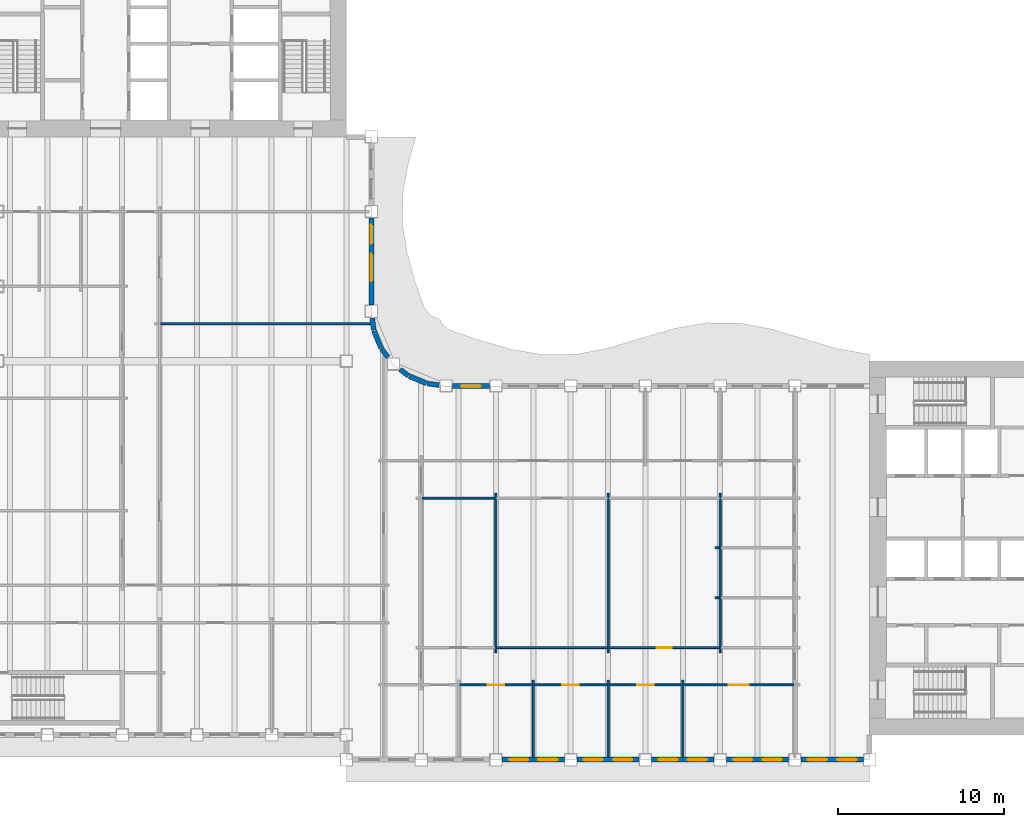
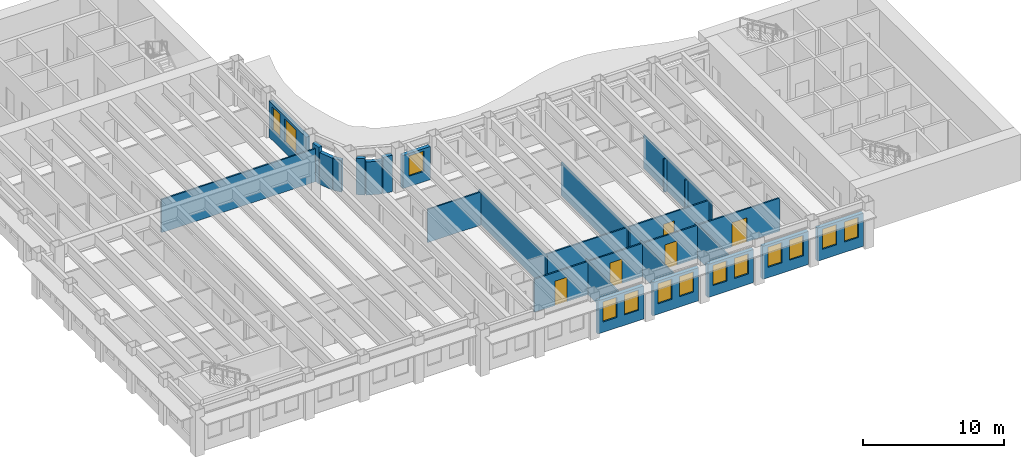
# One storey, part 5 of 17: 29 walls, 13 windows, 5 doors, 18 openings.
"""IFC4 building model written with IfcOpenShell, lengths in metres."""

from ifc_helpers import new_model, si_unit, direction, frame, frame_2d, origin, place, context, subcontext, project, spatial, rectangle, extrude, material, layer, layer_set, type_object, element, fill, save


model = new_model("IFC4")

# Units and contexts
model_context = context("Model", 3, precision=1e-05, world=origin(), true_north=direction((0.0, 1.0)))
body_context = subcontext(model_context, "Body", "Model", "MODEL_VIEW")
ifc_project = project(units=[si_unit("LENGTHUNIT", "METRE"), si_unit("AREAUNIT", "SQUARE_METRE"), si_unit("VOLUMEUNIT", "CUBIC_METRE"), si_unit("PLANEANGLEUNIT", "RADIAN"), si_unit("MASSUNIT", "GRAM", prefix="KILO")], contexts=[model_context])

# Site, building, storey
site_placement = place(None, origin())
site = spatial("IfcSite", under=ifc_project, at=site_placement, CompositionType="ELEMENT")
building_placement = place(site_placement, origin())
building = spatial("IfcBuilding", under=site, at=building_placement, Name="Sennacour Bend Tower", CompositionType="ELEMENT")
storey_placement = place(building_placement, frame((0.0, 0.0, 215.0)))
storey = spatial("IfcBuildingStorey", under=building, at=storey_placement, Name="L49", CompositionType="ELEMENT", Elevation=215.0)

# Walls
ifc_material_1 = material(Name="Plasterboard partition on steel studs", Category="steel")
ifc_layer_1 = layer(ifc_material_1, 0.1201171875, Name="Plasterboard partition on steel studs", Category="steel")
ifc_layer_set_1 = layer_set([ifc_layer_1], Name="Plasterboard partition on steel studs")
wall_type_1 = type_object("IfcWallType", Name="Partition 120", PredefinedType="PARTITIONING", material=ifc_layer_set_1)
wall_1_placement = place(storey_placement, frame((31.5, 4.949951171875, 0.0), z_axis=(0.0, 0.0, 1.0), x_axis=(0.0, 1.0, 0.0)))
element("IfcWall", 1, at=wall_1_placement, inside=storey, type_object=wall_type_1, Name="P-L49-W025a", PredefinedType="PARTITIONING", context=body_context, shape_type="SweptSolid", body=[
    extrude(rectangle(XDim=9.60009765625, YDim=0.1201171875, at=frame_2d((4.800048828125, 0.0))), origin(), (0.0, 0.0, 1.0), 2.8701171875),
])
for number, where, z_axis, x_axis, name in (
    (2, (33.75, -1.35009765625, 0.0), (0.0, 0.0, 1.0), (0.0, 1.0, 0.0), "P-L49-W026a"),
    (3, (38.25, -1.35009765625, 0.0), (0.0, 0.0, 1.0), (0.0, 1.0, 0.0), "P-L49-W027a"),
):
    element("IfcWall", number, at=place(storey_placement, frame(where, z_axis=z_axis, x_axis=x_axis)), inside=storey, type_object=wall_type_1, Name=name, PredefinedType="PARTITIONING", context=body_context, shape_type="SweptSolid", body=[
        extrude(rectangle(XDim=4.650146484375, YDim=0.1201171875, at=frame_2d((2.3251953125, 0.0))), origin(), (0.0, 0.0, 1.0), 2.8701171875),
    ])
wall_2_placement = place(storey_placement, frame((38.25, 4.949951171875, 0.0), z_axis=(0.0, 0.0, 1.0), x_axis=(0.0, 1.0, 0.0)))
element("IfcWall", 4, at=wall_2_placement, inside=storey, type_object=wall_type_1, Name="P-L49-W028a", PredefinedType="PARTITIONING", context=body_context, shape_type="SweptSolid", body=[
    extrude(rectangle(XDim=9.60009765625, YDim=0.1201171875, at=frame_2d((4.800048828125, 0.0))), origin(), (0.0, 0.0, 1.0), 2.8701171875),
])
wall_3_placement = place(storey_placement, frame((42.75, -1.35009765625, 0.0), z_axis=(0.0, 0.0, 1.0), x_axis=(0.0, 1.0, 0.0)))
element("IfcWall", 5, at=wall_3_placement, inside=storey, type_object=wall_type_1, Name="P-L49-W030a", PredefinedType="PARTITIONING", context=body_context, shape_type="SweptSolid", body=[
    extrude(rectangle(XDim=4.650146484375, YDim=0.1201171875, at=frame_2d((2.3251953125, 0.0))), origin(), (0.0, 0.0, 1.0), 2.8701171875),
])
wall_4_placement = place(storey_placement, frame((45.0, 4.949951171875, 0.0), z_axis=(0.0, 0.0, 1.0), x_axis=(0.0, 1.0, 0.0)))
element("IfcWall", 6, at=wall_4_placement, inside=storey, type_object=wall_type_1, Name="P-L49-W031a", PredefinedType="PARTITIONING", context=body_context, shape_type="SweptSolid", body=[
    extrude(rectangle(XDim=9.60009765625, YDim=0.1201171875, at=frame_2d((4.800048828125, 0.0))), origin(), (0.0, 0.0, 1.0), 2.8701171875),
])

# Wall, opening, door
wall_5_placement = place(storey_placement, frame((29.31005859375, 3.0, 0.0), z_axis=(0.0, 0.0, 1.0), x_axis=(1.0, 0.0, 0.0)))
wall_5 = element("IfcWall", 7, at=wall_5_placement, inside=storey, type_object=wall_type_1, Name="P-L49-W050ad", PredefinedType="PARTITIONING", context=body_context, shape_type="SweptSolid", body=[
    extrude(rectangle(XDim=4.3798828125, YDim=0.1201171875, at=frame_2d((2.18994140625, 0.0))), origin(), (0.0, 0.0, 1.0), 2.8701171875),
])
opening_1_placement = place(wall_5_placement, frame((1.68994140625, 0.0, 0.0)))
opening_1 = element("IfcOpeningElement", 8, at=opening_1_placement, cuts=wall_5, Name="Opening OD2", PredefinedType="OPENING", context=body_context, shape_type="SweptSolid", body=[
    extrude(rectangle(XDim=1.0, YDim=2.10009765625, at=frame_2d((0.5, 1.050048828125))), frame((0.0, 0.070068359375, 0.0), z_axis=(0.0, -1.0, 0.0), x_axis=(1.0, 0.0, 0.0)), (0.0, 0.0, 1.0), 0.14013671875),
])
ifc_material_2 = material(Name="Timber", Category="wood")
door_type_1 = type_object("IfcDoorType", Name="DR-OFFICE-1000", OperationType="NOTDEFINED", PredefinedType="DOOR", material=ifc_material_2)
door_1_placement = place(opening_1_placement, origin())
door_1 = element("IfcDoor", 9, at=door_1_placement, inside=storey, type_object=door_type_1, Name="Door", OperationType="SINGLE_SWING_LEFT", OverallHeight=2.10009765625, OverallWidth=1.0, PredefinedType="DOOR", context=body_context, shape_type="SweptSolid", body=[
    extrude(rectangle(XDim=1.0, YDim=2.10009765625, at=frame_2d((0.5, 1.050048828125))), frame((0.0, 0.02490234375, 0.0), z_axis=(0.0, -1.0, 0.0), x_axis=(1.0, 0.0, 0.0)), (0.0, 0.0, 1.0), 0.050048828125),
])
fill(opening_1, door_1)

wall_6_placement = place(storey_placement, frame((33.81005859375, 3.0, 0.0), z_axis=(0.0, 0.0, 1.0), x_axis=(1.0, 0.0, 0.0)))
wall_6 = element("IfcWall", 10, at=wall_6_placement, inside=storey, type_object=wall_type_1, Name="P-L49-W050ae", PredefinedType="PARTITIONING", context=body_context, shape_type="SweptSolid", body=[
    extrude(rectangle(XDim=4.3798828125, YDim=0.1201171875, at=frame_2d((2.18994140625, 0.0))), origin(), (0.0, 0.0, 1.0), 2.8701171875),
])
opening_2_placement = place(wall_6_placement, frame((1.68994140625, 0.0, 0.0)))
opening_2 = element("IfcOpeningElement", 11, at=opening_2_placement, cuts=wall_6, Name="Opening OD2", PredefinedType="OPENING", context=body_context, shape_type="SweptSolid", body=[
    extrude(rectangle(XDim=1.0, YDim=2.10009765625, at=frame_2d((0.5, 1.050048828125))), frame((0.0, 0.070068359375, 0.0), z_axis=(0.0, -1.0, 0.0), x_axis=(1.0, 0.0, 0.0)), (0.0, 0.0, 1.0), 0.14013671875),
])
door_2_placement = place(opening_2_placement, origin())
door_2 = element("IfcDoor", 12, at=door_2_placement, inside=storey, type_object=door_type_1, Name="Door", OperationType="SINGLE_SWING_LEFT", OverallHeight=2.10009765625, OverallWidth=1.0, PredefinedType="DOOR", context=body_context, shape_type="SweptSolid", body=[
    extrude(rectangle(XDim=1.0, YDim=2.10009765625, at=frame_2d((0.5, 1.050048828125))), frame((0.0, 0.02490234375, 0.0), z_axis=(0.0, -1.0, 0.0), x_axis=(1.0, 0.0, 0.0)), (0.0, 0.0, 1.0), 0.050048828125),
])
fill(opening_2, door_2)

wall_7_placement = place(storey_placement, frame((38.31005859375, 3.0, 0.0), z_axis=(0.0, 0.0, 1.0), x_axis=(1.0, 0.0, 0.0)))
wall_7 = element("IfcWall", 13, at=wall_7_placement, inside=storey, type_object=wall_type_1, Name="P-L49-W050af", PredefinedType="PARTITIONING", context=body_context, shape_type="SweptSolid", body=[
    extrude(rectangle(XDim=4.3798828125, YDim=0.1201171875, at=frame_2d((2.18994140625, 0.0))), origin(), (0.0, 0.0, 1.0), 2.8701171875),
])
opening_3_placement = place(wall_7_placement, frame((1.68994140625, 0.0, 0.0)))
opening_3 = element("IfcOpeningElement", 14, at=opening_3_placement, cuts=wall_7, Name="Opening OD2", PredefinedType="OPENING", context=body_context, shape_type="SweptSolid", body=[
    extrude(rectangle(XDim=1.0, YDim=2.10009765625, at=frame_2d((0.5, 1.050048828125))), frame((0.0, 0.070068359375, 0.0), z_axis=(0.0, -1.0, 0.0), x_axis=(1.0, 0.0, 0.0)), (0.0, 0.0, 1.0), 0.14013671875),
])
door_3_placement = place(opening_3_placement, origin())
door_3 = element("IfcDoor", 15, at=door_3_placement, inside=storey, type_object=door_type_1, Name="Door", OperationType="SINGLE_SWING_LEFT", OverallHeight=2.10009765625, OverallWidth=1.0, PredefinedType="DOOR", context=body_context, shape_type="SweptSolid", body=[
    extrude(rectangle(XDim=1.0, YDim=2.10009765625, at=frame_2d((0.5, 1.050048828125))), frame((0.0, 0.02490234375, 0.0), z_axis=(0.0, -1.0, 0.0), x_axis=(1.0, 0.0, 0.0)), (0.0, 0.0, 1.0), 0.050048828125),
])
fill(opening_3, door_3)

wall_8_placement = place(storey_placement, frame((42.81005859375, 3.0, 0.0), z_axis=(0.0, 0.0, 1.0), x_axis=(1.0, 0.0, 0.0)))
wall_8 = element("IfcWall", 16, at=wall_8_placement, inside=storey, type_object=wall_type_1, Name="P-L49-W050ag", PredefinedType="PARTITIONING", context=body_context, shape_type="SweptSolid", body=[
    extrude(rectangle(XDim=6.6298828125, YDim=0.1201171875, at=frame_2d((3.31494140625, 0.0))), origin(), (0.0, 0.0, 1.0), 2.8701171875),
])
opening_4_placement = place(wall_8_placement, frame((2.71484375, 0.0, 0.0)))
opening_4 = element("IfcOpeningElement", 17, at=opening_4_placement, cuts=wall_8, Name="Opening OD", PredefinedType="OPENING", context=body_context, shape_type="SweptSolid", body=[
    extrude(rectangle(XDim=1.199951171875, YDim=2.10009765625, at=frame_2d((0.60009765625, 1.050048828125))), frame((0.0, 0.070068359375, 0.0), z_axis=(0.0, -1.0, 0.0), x_axis=(1.0, 0.0, 0.0)), (0.0, 0.0, 1.0), 0.14013671875),
])
door_type_2 = type_object("IfcDoorType", Name="DR-OFFICE-1200", OperationType="NOTDEFINED", PredefinedType="DOOR", material=ifc_material_2)
door_4_placement = place(opening_4_placement, origin())
door_4 = element("IfcDoor", 18, at=door_4_placement, inside=storey, type_object=door_type_2, Name="Door", OperationType="SINGLE_SWING_LEFT", OverallHeight=2.10009765625, OverallWidth=1.199951171875, PredefinedType="DOOR", context=body_context, shape_type="SweptSolid", body=[
    extrude(rectangle(XDim=1.199951171875, YDim=2.10009765625, at=frame_2d((0.60009765625, 1.050048828125))), frame((0.0, 0.02490234375, 0.0), z_axis=(0.0, -1.0, 0.0), x_axis=(1.0, 0.0, 0.0)), (0.0, 0.0, 1.0), 0.050048828125),
])
fill(opening_4, door_4)

# Walls
wall_9_placement = place(storey_placement, frame((31.56005859375, 5.25, 0.0), z_axis=(0.0, 0.0, 1.0), x_axis=(1.0, 0.0, 0.0)))
element("IfcWall", 19, at=wall_9_placement, inside=storey, type_object=wall_type_1, Name="P-L49-W056ac", PredefinedType="PARTITIONING", context=body_context, shape_type="SweptSolid", body=[
    extrude(rectangle(XDim=6.6298828125, YDim=0.1201171875, at=frame_2d((3.31494140625, 0.0))), origin(), (0.0, 0.0, 1.0), 2.8701171875),
])
for number, where, z_axis, x_axis, name in (
    (20, (44.699951171875, 8.25, 0.0), (0.0, 0.0, 1.0), (1.0, 0.0, 0.0), "P-L49-W059aa"),
    (21, (44.699951171875, 11.25, 0.0), (0.0, 0.0, 1.0), (1.0, 0.0, 0.0), "P-L49-W062aa"),
):
    element("IfcWall", number, at=place(storey_placement, frame(where, z_axis=z_axis, x_axis=x_axis)), inside=storey, type_object=wall_type_1, Name=name, PredefinedType="PARTITIONING", context=body_context, shape_type="SweptSolid", body=[
        extrude(rectangle(XDim=0.239990234375, YDim=0.1201171875, at=frame_2d((0.1201171875, 0.0))), origin(), (0.0, 0.0, 1.0), 2.8701171875),
    ])
wall_10_placement = place(storey_placement, frame((27.06005859375, 14.25, 0.0), z_axis=(0.0, 0.0, 1.0), x_axis=(1.0, 0.0, 0.0)))
element("IfcWall", 22, at=wall_10_placement, inside=storey, type_object=wall_type_1, Name="P-L49-W065ab", PredefinedType="PARTITIONING", context=body_context, shape_type="SweptSolid", body=[
    extrude(rectangle(XDim=4.3798828125, YDim=0.1201171875, at=frame_2d((2.18994140625, 0.0))), origin(), (0.0, 0.0, 1.0), 2.8701171875),
])
wall_11_placement = place(storey_placement, frame((11.31005859375, 24.75, 0.0), z_axis=(0.0, 0.0, 1.0), x_axis=(1.0, 0.0, 0.0)))
element("IfcWall", 23, at=wall_11_placement, inside=storey, type_object=wall_type_1, Name="P-L49-W074ab", PredefinedType="PARTITIONING", context=body_context, shape_type="SweptSolid", body=[
    extrude(rectangle(XDim=12.637451171875, YDim=0.1201171875, at=frame_2d((6.31884765625, 0.0))), origin(), (0.0, 0.0, 1.0), 2.8701171875),
])

# Wall, opening, door
ifc_layer_2 = layer(ifc_material_1, 0.1201171875, Name="Plasterboard partition on steel studs", Category="steel")
ifc_layer_set_2 = layer_set([ifc_layer_2], Name="Plasterboard partition on steel studs")
wall_type_2 = type_object("IfcWallType", Name="Partition 120 EI 60", PredefinedType="PARTITIONING", material=ifc_layer_set_2)
wall_12_placement = place(storey_placement, frame((38.31005859375, 5.25, 0.0), z_axis=(0.0, 0.0, 1.0), x_axis=(1.0, 0.0, 0.0)))
wall_12 = element("IfcWall", 24, at=wall_12_placement, inside=storey, type_object=wall_type_2, Name="P-L49-W056ad", PredefinedType="PARTITIONING", context=body_context, shape_type="SweptSolid", body=[
    extrude(rectangle(XDim=6.6298828125, YDim=0.1201171875, at=frame_2d((3.31494140625, 0.0))), origin(), (0.0, 0.0, 1.0), 2.8701171875),
])
opening_5_placement = place(wall_12_placement, frame((2.864990234375, 0.0, 0.0)))
opening_5 = element("IfcOpeningElement", 25, at=opening_5_placement, cuts=wall_12, Name="Opening SV", PredefinedType="OPENING", context=body_context, shape_type="SweptSolid", body=[
    extrude(rectangle(XDim=0.89990234375, YDim=2.10009765625, at=frame_2d((0.449951171875, 1.050048828125))), frame((0.0, 0.070068359375, 0.0), z_axis=(0.0, -1.0, 0.0), x_axis=(1.0, 0.0, 0.0)), (0.0, 0.0, 1.0), 0.14013671875),
])
ifc_material_3 = material(Name="Painted steel", Category="steel")
door_type_3 = type_object("IfcDoorType", Name="DR-SERVICE-900", OperationType="NOTDEFINED", PredefinedType="DOOR", material=ifc_material_3)
door_5_placement = place(opening_5_placement, origin())
door_5 = element("IfcDoor", 26, at=door_5_placement, inside=storey, type_object=door_type_3, Name="Door", OperationType="SINGLE_SWING_LEFT", OverallHeight=2.10009765625, OverallWidth=0.89990234375, PredefinedType="DOOR", context=body_context, shape_type="SweptSolid", body=[
    extrude(rectangle(XDim=0.89990234375, YDim=2.10009765625, at=frame_2d((0.449951171875, 1.050048828125))), frame((0.0, 0.02490234375, 0.0), z_axis=(0.0, -1.0, 0.0), x_axis=(1.0, 0.0, 0.0)), (0.0, 0.0, 1.0), 0.050048828125),
])
fill(opening_5, door_5)

# Wall, openings, windows
ifc_material_4 = material(Name="Warm limestone cladding", Category="masonry")
ifc_layer_3 = layer(ifc_material_4, 0.050048828125, Name="Warm limestone cladding", Category="masonry")
ifc_material_5 = material(Name="Precast concrete C40/50", Category="concrete")
ifc_layer_4 = layer(ifc_material_5, 0.25, Name="Precast concrete C40/50", Category="concrete")
ifc_layer_set_3 = layer_set([ifc_layer_3, ifc_layer_4], Name="Precast concrete C40/50 with limestone cladding")
wall_type_3 = type_object("IfcWallType", Name="STONE-CLAD PRECAST SPANDREL 300", PredefinedType="STANDARD", material=ifc_layer_set_3)
wall_13_placement = place(storey_placement, frame((31.875, -1.5, 0.0), z_axis=(0.0, 0.0, 1.0), x_axis=(1.0, 0.0, 0.0)))
wall_13 = element("IfcWall", 27, at=wall_13_placement, inside=storey, type_object=wall_type_3, Name="Stone spandrel and pier wall L49 00.02", PredefinedType="STANDARD", context=body_context, shape_type="SweptSolid", body=[
    extrude(rectangle(XDim=3.75, YDim=0.300048828125, at=frame_2d((1.875, 0.0))), origin(), (0.0, 0.0, 1.0), 2.8701171875),
])
opening_6_placement = place(wall_13_placement, frame((0.41259765625, 0.0, 0.89990234375)))
opening_6 = element("IfcOpeningElement", 28, at=opening_6_placement, cuts=wall_13, Name="Opening W23", PredefinedType="OPENING", context=body_context, shape_type="SweptSolid", body=[
    extrude(rectangle(XDim=1.14990234375, YDim=1.75, at=frame_2d((0.574951171875, 0.875))), frame((0.0, 0.16015625, 0.0), z_axis=(0.0, -1.0, 0.0), x_axis=(1.0, 0.0, 0.0)), (0.0, 0.0, 1.0), 0.320068359375),
])
opening_7_placement = place(wall_13_placement, frame((2.1875, 0.0, 0.89990234375)))
opening_7 = element("IfcOpeningElement", 29, at=opening_7_placement, cuts=wall_13, Name="Opening W23", PredefinedType="OPENING", context=body_context, shape_type="SweptSolid", body=[
    extrude(rectangle(XDim=1.14990234375, YDim=1.75, at=frame_2d((0.574951171875, 0.875))), frame((0.0, 0.16015625, 0.0), z_axis=(0.0, -1.0, 0.0), x_axis=(1.0, 0.0, 0.0)), (0.0, 0.0, 1.0), 0.320068359375),
])
ifc_material_6 = material(Name="Clear low-emissivity glass", Category="glass")
window_type_1 = type_object("IfcWindowType", Name="WIN-RIBBON-1150x1750", PartitioningType="SINGLE_PANEL", PredefinedType="WINDOW", material=ifc_material_6)
window_1_placement = place(opening_6_placement, origin())
window_1 = element("IfcWindow", 30, at=window_1_placement, inside=storey, type_object=window_type_1, Name="Ribbon window L49 00.02.0", OverallHeight=1.75, OverallWidth=1.14990234375, PartitioningType="SINGLE_PANEL", PredefinedType="WINDOW", context=body_context, shape_type="SweptSolid", body=[
    extrude(rectangle(XDim=1.14990234375, YDim=1.75, at=frame_2d((0.574951171875, 0.875))), frame((0.0, 0.030029296875, 0.0), z_axis=(0.0, -1.0, 0.0), x_axis=(1.0, 0.0, 0.0)), (0.0, 0.0, 1.0), 0.06005859375),
])
fill(opening_6, window_1)
window_2_placement = place(opening_7_placement, origin())
window_2 = element("IfcWindow", 31, at=window_2_placement, inside=storey, type_object=window_type_1, Name="Ribbon window L49 00.02.1", OverallHeight=1.75, OverallWidth=1.14990234375, PartitioningType="SINGLE_PANEL", PredefinedType="WINDOW", context=body_context, shape_type="SweptSolid", body=[
    extrude(rectangle(XDim=1.14990234375, YDim=1.75, at=frame_2d((0.574951171875, 0.875))), frame((0.0, 0.030029296875, 0.0), z_axis=(0.0, -1.0, 0.0), x_axis=(1.0, 0.0, 0.0)), (0.0, 0.0, 1.0), 0.06005859375),
])
fill(opening_7, window_2)

wall_14_placement = place(storey_placement, frame((36.375, -1.5, 0.0), z_axis=(0.0, 0.0, 1.0), x_axis=(1.0, 0.0, 0.0)))
wall_14 = element("IfcWall", 32, at=wall_14_placement, inside=storey, type_object=wall_type_3, Name="Stone spandrel and pier wall L49 00.03", PredefinedType="STANDARD", context=body_context, shape_type="SweptSolid", body=[
    extrude(rectangle(XDim=3.75, YDim=0.300048828125, at=frame_2d((1.875, 0.0))), origin(), (0.0, 0.0, 1.0), 2.8701171875),
])
opening_8_placement = place(wall_14_placement, frame((0.41259765625, 0.0, 0.89990234375)))
opening_8 = element("IfcOpeningElement", 33, at=opening_8_placement, cuts=wall_14, Name="Opening W23", PredefinedType="OPENING", context=body_context, shape_type="SweptSolid", body=[
    extrude(rectangle(XDim=1.14990234375, YDim=1.75, at=frame_2d((0.574951171875, 0.875))), frame((0.0, 0.16015625, 0.0), z_axis=(0.0, -1.0, 0.0), x_axis=(1.0, 0.0, 0.0)), (0.0, 0.0, 1.0), 0.320068359375),
])
opening_9_placement = place(wall_14_placement, frame((2.1875, 0.0, 0.89990234375)))
opening_9 = element("IfcOpeningElement", 34, at=opening_9_placement, cuts=wall_14, Name="Opening W23", PredefinedType="OPENING", context=body_context, shape_type="SweptSolid", body=[
    extrude(rectangle(XDim=1.14990234375, YDim=1.75, at=frame_2d((0.574951171875, 0.875))), frame((0.0, 0.16015625, 0.0), z_axis=(0.0, -1.0, 0.0), x_axis=(1.0, 0.0, 0.0)), (0.0, 0.0, 1.0), 0.320068359375),
])
window_3_placement = place(opening_8_placement, origin())
window_3 = element("IfcWindow", 35, at=window_3_placement, inside=storey, type_object=window_type_1, Name="Ribbon window L49 00.03.0", OverallHeight=1.75, OverallWidth=1.14990234375, PartitioningType="SINGLE_PANEL", PredefinedType="WINDOW", context=body_context, shape_type="SweptSolid", body=[
    extrude(rectangle(XDim=1.14990234375, YDim=1.75, at=frame_2d((0.574951171875, 0.875))), frame((0.0, 0.030029296875, 0.0), z_axis=(0.0, -1.0, 0.0), x_axis=(1.0, 0.0, 0.0)), (0.0, 0.0, 1.0), 0.06005859375),
])
fill(opening_8, window_3)
window_4_placement = place(opening_9_placement, origin())
window_4 = element("IfcWindow", 36, at=window_4_placement, inside=storey, type_object=window_type_1, Name="Ribbon window L49 00.03.1", OverallHeight=1.75, OverallWidth=1.14990234375, PartitioningType="SINGLE_PANEL", PredefinedType="WINDOW", context=body_context, shape_type="SweptSolid", body=[
    extrude(rectangle(XDim=1.14990234375, YDim=1.75, at=frame_2d((0.574951171875, 0.875))), frame((0.0, 0.030029296875, 0.0), z_axis=(0.0, -1.0, 0.0), x_axis=(1.0, 0.0, 0.0)), (0.0, 0.0, 1.0), 0.06005859375),
])
fill(opening_9, window_4)

wall_15_placement = place(storey_placement, frame((40.875, -1.5, 0.0), z_axis=(0.0, 0.0, 1.0), x_axis=(1.0, 0.0, 0.0)))
wall_15 = element("IfcWall", 37, at=wall_15_placement, inside=storey, type_object=wall_type_3, Name="Stone spandrel and pier wall L49 00.04", PredefinedType="STANDARD", context=body_context, shape_type="SweptSolid", body=[
    extrude(rectangle(XDim=3.75, YDim=0.300048828125, at=frame_2d((1.875, 0.0))), origin(), (0.0, 0.0, 1.0), 2.8701171875),
])
opening_10_placement = place(wall_15_placement, frame((0.41259765625, 0.0, 0.89990234375)))
opening_10 = element("IfcOpeningElement", 38, at=opening_10_placement, cuts=wall_15, Name="Opening W23", PredefinedType="OPENING", context=body_context, shape_type="SweptSolid", body=[
    extrude(rectangle(XDim=1.14990234375, YDim=1.75, at=frame_2d((0.574951171875, 0.875))), frame((0.0, 0.16015625, 0.0), z_axis=(0.0, -1.0, 0.0), x_axis=(1.0, 0.0, 0.0)), (0.0, 0.0, 1.0), 0.320068359375),
])
opening_11_placement = place(wall_15_placement, frame((2.1875, 0.0, 0.89990234375)))
opening_11 = element("IfcOpeningElement", 39, at=opening_11_placement, cuts=wall_15, Name="Opening W23", PredefinedType="OPENING", context=body_context, shape_type="SweptSolid", body=[
    extrude(rectangle(XDim=1.14990234375, YDim=1.75, at=frame_2d((0.574951171875, 0.875))), frame((0.0, 0.16015625, 0.0), z_axis=(0.0, -1.0, 0.0), x_axis=(1.0, 0.0, 0.0)), (0.0, 0.0, 1.0), 0.320068359375),
])
window_5_placement = place(opening_10_placement, origin())
window_5 = element("IfcWindow", 40, at=window_5_placement, inside=storey, type_object=window_type_1, Name="Ribbon window L49 00.04.0", OverallHeight=1.75, OverallWidth=1.14990234375, PartitioningType="SINGLE_PANEL", PredefinedType="WINDOW", context=body_context, shape_type="SweptSolid", body=[
    extrude(rectangle(XDim=1.14990234375, YDim=1.75, at=frame_2d((0.574951171875, 0.875))), frame((0.0, 0.030029296875, 0.0), z_axis=(0.0, -1.0, 0.0), x_axis=(1.0, 0.0, 0.0)), (0.0, 0.0, 1.0), 0.06005859375),
])
fill(opening_10, window_5)
window_6_placement = place(opening_11_placement, origin())
window_6 = element("IfcWindow", 41, at=window_6_placement, inside=storey, type_object=window_type_1, Name="Ribbon window L49 00.04.1", OverallHeight=1.75, OverallWidth=1.14990234375, PartitioningType="SINGLE_PANEL", PredefinedType="WINDOW", context=body_context, shape_type="SweptSolid", body=[
    extrude(rectangle(XDim=1.14990234375, YDim=1.75, at=frame_2d((0.574951171875, 0.875))), frame((0.0, 0.030029296875, 0.0), z_axis=(0.0, -1.0, 0.0), x_axis=(1.0, 0.0, 0.0)), (0.0, 0.0, 1.0), 0.06005859375),
])
fill(opening_11, window_6)

wall_16_placement = place(storey_placement, frame((45.375, -1.5, 0.0), z_axis=(0.0, 0.0, 1.0), x_axis=(1.0, 0.0, 0.0)))
wall_16 = element("IfcWall", 42, at=wall_16_placement, inside=storey, type_object=wall_type_3, Name="Stone spandrel and pier wall L49 00.05", PredefinedType="STANDARD", context=body_context, shape_type="SweptSolid", body=[
    extrude(rectangle(XDim=3.75, YDim=0.300048828125, at=frame_2d((1.875, 0.0))), origin(), (0.0, 0.0, 1.0), 2.8701171875),
])
opening_12_placement = place(wall_16_placement, frame((0.41259765625, 0.0, 0.89990234375)))
opening_12 = element("IfcOpeningElement", 43, at=opening_12_placement, cuts=wall_16, Name="Opening W23", PredefinedType="OPENING", context=body_context, shape_type="SweptSolid", body=[
    extrude(rectangle(XDim=1.14990234375, YDim=1.75, at=frame_2d((0.574951171875, 0.875))), frame((0.0, 0.16015625, 0.0), z_axis=(0.0, -1.0, 0.0), x_axis=(1.0, 0.0, 0.0)), (0.0, 0.0, 1.0), 0.320068359375),
])
opening_13_placement = place(wall_16_placement, frame((2.1875, 0.0, 0.89990234375)))
opening_13 = element("IfcOpeningElement", 44, at=opening_13_placement, cuts=wall_16, Name="Opening W23", PredefinedType="OPENING", context=body_context, shape_type="SweptSolid", body=[
    extrude(rectangle(XDim=1.14990234375, YDim=1.75, at=frame_2d((0.574951171875, 0.875))), frame((0.0, 0.16015625, 0.0), z_axis=(0.0, -1.0, 0.0), x_axis=(1.0, 0.0, 0.0)), (0.0, 0.0, 1.0), 0.320068359375),
])
window_7_placement = place(opening_12_placement, origin())
window_7 = element("IfcWindow", 45, at=window_7_placement, inside=storey, type_object=window_type_1, Name="Ribbon window L49 00.05.0", OverallHeight=1.75, OverallWidth=1.14990234375, PartitioningType="SINGLE_PANEL", PredefinedType="WINDOW", context=body_context, shape_type="SweptSolid", body=[
    extrude(rectangle(XDim=1.14990234375, YDim=1.75, at=frame_2d((0.574951171875, 0.875))), frame((0.0, 0.030029296875, 0.0), z_axis=(0.0, -1.0, 0.0), x_axis=(1.0, 0.0, 0.0)), (0.0, 0.0, 1.0), 0.06005859375),
])
fill(opening_12, window_7)
window_8_placement = place(opening_13_placement, origin())
window_8 = element("IfcWindow", 46, at=window_8_placement, inside=storey, type_object=window_type_1, Name="Ribbon window L49 00.05.1", OverallHeight=1.75, OverallWidth=1.14990234375, PartitioningType="SINGLE_PANEL", PredefinedType="WINDOW", context=body_context, shape_type="SweptSolid", body=[
    extrude(rectangle(XDim=1.14990234375, YDim=1.75, at=frame_2d((0.574951171875, 0.875))), frame((0.0, 0.030029296875, 0.0), z_axis=(0.0, -1.0, 0.0), x_axis=(1.0, 0.0, 0.0)), (0.0, 0.0, 1.0), 0.06005859375),
])
fill(opening_13, window_8)

wall_17_placement = place(storey_placement, frame((49.875, -1.5, 0.0), z_axis=(0.0, 0.0, 1.0), x_axis=(1.0, 0.0, 0.0)))
wall_17 = element("IfcWall", 47, at=wall_17_placement, inside=storey, type_object=wall_type_3, Name="Stone spandrel and pier wall L49 00.06", PredefinedType="STANDARD", context=body_context, shape_type="SweptSolid", body=[
    extrude(rectangle(XDim=3.75, YDim=0.300048828125, at=frame_2d((1.875, 0.0))), origin(), (0.0, 0.0, 1.0), 2.8701171875),
])
opening_14_placement = place(wall_17_placement, frame((0.41259765625, 0.0, 0.89990234375)))
opening_14 = element("IfcOpeningElement", 48, at=opening_14_placement, cuts=wall_17, Name="Opening W23", PredefinedType="OPENING", context=body_context, shape_type="SweptSolid", body=[
    extrude(rectangle(XDim=1.14990234375, YDim=1.75, at=frame_2d((0.574951171875, 0.875))), frame((0.0, 0.16015625, 0.0), z_axis=(0.0, -1.0, 0.0), x_axis=(1.0, 0.0, 0.0)), (0.0, 0.0, 1.0), 0.320068359375),
])
opening_15_placement = place(wall_17_placement, frame((2.1875, 0.0, 0.89990234375)))
opening_15 = element("IfcOpeningElement", 49, at=opening_15_placement, cuts=wall_17, Name="Opening W23", PredefinedType="OPENING", context=body_context, shape_type="SweptSolid", body=[
    extrude(rectangle(XDim=1.14990234375, YDim=1.75, at=frame_2d((0.574951171875, 0.875))), frame((0.0, 0.16015625, 0.0), z_axis=(0.0, -1.0, 0.0), x_axis=(1.0, 0.0, 0.0)), (0.0, 0.0, 1.0), 0.320068359375),
])
window_9_placement = place(opening_14_placement, origin())
window_9 = element("IfcWindow", 50, at=window_9_placement, inside=storey, type_object=window_type_1, Name="Ribbon window L49 00.06.0", OverallHeight=1.75, OverallWidth=1.14990234375, PartitioningType="SINGLE_PANEL", PredefinedType="WINDOW", context=body_context, shape_type="SweptSolid", body=[
    extrude(rectangle(XDim=1.14990234375, YDim=1.75, at=frame_2d((0.574951171875, 0.875))), frame((0.0, 0.030029296875, 0.0), z_axis=(0.0, -1.0, 0.0), x_axis=(1.0, 0.0, 0.0)), (0.0, 0.0, 1.0), 0.06005859375),
])
fill(opening_14, window_9)
window_10_placement = place(opening_15_placement, origin())
window_10 = element("IfcWindow", 51, at=window_10_placement, inside=storey, type_object=window_type_1, Name="Ribbon window L49 00.06.1", OverallHeight=1.75, OverallWidth=1.14990234375, PartitioningType="SINGLE_PANEL", PredefinedType="WINDOW", context=body_context, shape_type="SweptSolid", body=[
    extrude(rectangle(XDim=1.14990234375, YDim=1.75, at=frame_2d((0.574951171875, 0.875))), frame((0.0, 0.030029296875, 0.0), z_axis=(0.0, -1.0, 0.0), x_axis=(1.0, 0.0, 0.0)), (0.0, 0.0, 1.0), 0.06005859375),
])
fill(opening_15, window_10)

# Wall, opening, window
wall_18_placement = place(storey_placement, frame((31.125, 21.0, 0.0), z_axis=(0.0, 0.0, 1.0), x_axis=(-1.0, 0.0, 0.0)))
wall_18 = element("IfcWall", 52, at=wall_18_placement, inside=storey, type_object=wall_type_3, Name="Stone spandrel and pier wall L49 06.05", PredefinedType="STANDARD", context=body_context, shape_type="SweptSolid", body=[
    extrude(rectangle(XDim=2.25, YDim=0.300048828125, at=frame_2d((1.125, 0.0))), origin(), (0.0, 0.0, 1.0), 2.8701171875),
])
opening_16_placement = place(wall_18_placement, frame((0.52490234375, 0.0, 0.89990234375)))
opening_16 = element("IfcOpeningElement", 53, at=opening_16_placement, cuts=wall_18, Name="Opening W16", PredefinedType="OPENING", context=body_context, shape_type="SweptSolid", body=[
    extrude(rectangle(XDim=1.199951171875, YDim=1.75, at=frame_2d((0.60009765625, 0.875))), frame((0.0, 0.16015625, 0.0), z_axis=(0.0, -1.0, 0.0), x_axis=(1.0, 0.0, 0.0)), (0.0, 0.0, 1.0), 0.320068359375),
])
window_type_2 = type_object("IfcWindowType", Name="WIN-RIBBON-1200x1750", PartitioningType="SINGLE_PANEL", PredefinedType="WINDOW", material=ifc_material_6)
window_11_placement = place(opening_16_placement, origin())
window_11 = element("IfcWindow", 54, at=window_11_placement, inside=storey, type_object=window_type_2, Name="Ribbon window L49 06.05", OverallHeight=1.75, OverallWidth=1.199951171875, PartitioningType="SINGLE_PANEL", PredefinedType="WINDOW", context=body_context, shape_type="SweptSolid", body=[
    extrude(rectangle(XDim=1.199951171875, YDim=1.75, at=frame_2d((0.60009765625, 0.875))), frame((0.0, 0.030029296875, 0.0), z_axis=(0.0, -1.0, 0.0), x_axis=(1.0, 0.0, 0.0)), (0.0, 0.0, 1.0), 0.06005859375),
])
fill(opening_16, window_11)

# Walls
wall_19_placement = place(storey_placement, frame((28.0830078125, 21.054931640625, 0.0), z_axis=(0.0, 0.0, 1.0), x_axis=(-0.99142711513, 0.130660917588, 0.0)))
element("IfcWall", 55, at=wall_19_placement, inside=storey, type_object=wall_type_3, Name="Stone spandrel and pier wall L49 07.00", PredefinedType="STANDARD", context=body_context, shape_type="SweptSolid", body=[
    extrude(rectangle(XDim=0.734375, YDim=0.300048828125, at=frame_2d((0.3671875, 0.0))), origin(), (0.0, 0.0, 1.0), 3.156982421875),
])
wall_20_placement = place(storey_placement, frame((27.317138671875, 21.160888671875, 0.0), z_axis=(0.0, 0.0, 1.0), x_axis=(-0.923914616768, 0.382598720491, 0.0)))
element("IfcWall", 56, at=wall_20_placement, inside=storey, type_object=wall_type_3, Name="Stone spandrel and pier wall L49 08.00", PredefinedType="STANDARD", context=body_context, shape_type="SweptSolid", body=[
    extrude(rectangle(XDim=1.13525390625, YDim=0.300048828125, at=frame_2d((0.567626953125, 0.0))), origin(), (0.0, 0.0, 1.0), 2.8701171875),
])
wall_21_placement = place(storey_placement, frame((26.234375, 21.614990234375, 0.0), z_axis=(0.0, 0.0, 1.0), x_axis=(-0.793575131083, 0.608472276547, 0.0)))
element("IfcWall", 57, at=wall_21_placement, inside=storey, type_object=wall_type_3, Name="Stone spandrel and pier wall L49 09.00", PredefinedType="STANDARD", context=body_context, shape_type="SweptSolid", body=[
    extrude(rectangle(XDim=0.629150390625, YDim=0.300048828125, at=frame_2d((0.314453125, 0.0))), origin(), (0.0, 0.0, 1.0), 3.156982421875),
])
wall_22_placement = place(storey_placement, frame((24.997802734375, 22.735107421875, 0.0), z_axis=(0.0, 0.0, 1.0), x_axis=(-0.608472276547, 0.793575131083, 0.0)))
element("IfcWall", 58, at=wall_22_placement, inside=storey, type_object=wall_type_3, Name="Stone spandrel and pier wall L49 10.00", PredefinedType="STANDARD", context=body_context, shape_type="SweptSolid", body=[
    extrude(rectangle(XDim=0.629150390625, YDim=0.300048828125, at=frame_2d((0.314453125, 0.0))), origin(), (0.0, 0.0, 1.0), 2.760009765625),
])
wall_23_placement = place(storey_placement, frame((24.59521484375, 23.268310546875, 0.0), z_axis=(0.0, 0.0, 1.0), x_axis=(-0.382598720491, 0.923914616768, 0.0)))
element("IfcWall", 59, at=wall_23_placement, inside=storey, type_object=wall_type_3, Name="Stone spandrel and pier wall L49 11.00", PredefinedType="STANDARD", context=body_context, shape_type="SweptSolid", body=[
    extrude(rectangle(XDim=1.13525390625, YDim=0.300048828125, at=frame_2d((0.567626953125, 0.0))), origin(), (0.0, 0.0, 1.0), 2.760009765625),
])
wall_24_placement = place(storey_placement, frame((24.15087890625, 24.35498046875, 0.0), z_axis=(0.0, 0.0, 1.0), x_axis=(-0.130660917588, 0.99142711513, 0.0)))
element("IfcWall", 60, at=wall_24_placement, inside=storey, type_object=wall_type_3, Name="Stone spandrel and pier wall L49 12.00", PredefinedType="STANDARD", context=body_context, shape_type="SweptSolid", body=[
    extrude(rectangle(XDim=0.734375, YDim=0.300048828125, at=frame_2d((0.3671875, 0.0))), origin(), (0.0, 0.0, 1.0), 3.156982421875),
])

# Wall, openings, windows
wall_25_placement = place(storey_placement, frame((24.0, 25.875, 0.0), z_axis=(0.0, 0.0, 1.0), x_axis=(0.0, 1.0, 0.0)))
wall_25 = element("IfcWall", 61, at=wall_25_placement, inside=storey, type_object=wall_type_3, Name="Stone spandrel and pier wall L49 13.00", PredefinedType="STANDARD", context=body_context, shape_type="SweptSolid", body=[
    extrude(rectangle(XDim=5.25, YDim=0.300048828125, at=frame_2d((2.625, 0.0))), origin(), (0.0, 0.0, 1.0), 3.156982421875),
])
opening_17_placement = place(wall_25_placement, frame((1.425048828125, 0.0, 0.89990234375)))
opening_17 = element("IfcOpeningElement", 62, at=opening_17_placement, cuts=wall_25, Name="Opening W10", PredefinedType="OPENING", context=body_context, shape_type="SweptSolid", body=[
    extrude(rectangle(XDim=1.64990234375, YDim=2.0, at=frame_2d((0.824951171875, 1.0))), frame((0.0, 0.16015625, 0.0), z_axis=(0.0, -1.0, 0.0), x_axis=(1.0, 0.0, 0.0)), (0.0, 0.0, 1.0), 0.320068359375),
])
opening_18_placement = place(wall_25_placement, frame((3.6875, 0.0, 0.89990234375)))
opening_18 = element("IfcOpeningElement", 63, at=opening_18_placement, cuts=wall_25, Name="Opening W24", PredefinedType="OPENING", context=body_context, shape_type="SweptSolid", body=[
    extrude(rectangle(XDim=1.14990234375, YDim=2.0, at=frame_2d((0.574951171875, 1.0))), frame((0.0, 0.16015625, 0.0), z_axis=(0.0, -1.0, 0.0), x_axis=(1.0, 0.0, 0.0)), (0.0, 0.0, 1.0), 0.320068359375),
])
window_type_3 = type_object("IfcWindowType", Name="WIN-RIBBON-1150x2000", PartitioningType="SINGLE_PANEL", PredefinedType="WINDOW", material=ifc_material_6)
window_12_placement = place(opening_18_placement, origin())
window_12 = element("IfcWindow", 64, at=window_12_placement, inside=storey, type_object=window_type_3, Name="Ribbon window L49 13.00.1", OverallHeight=2.0, OverallWidth=1.14990234375, PartitioningType="SINGLE_PANEL", PredefinedType="WINDOW", context=body_context, shape_type="SweptSolid", body=[
    extrude(rectangle(XDim=1.14990234375, YDim=2.0, at=frame_2d((0.574951171875, 1.0))), frame((0.0, 0.030029296875, 0.0), z_axis=(0.0, -1.0, 0.0), x_axis=(1.0, 0.0, 0.0)), (0.0, 0.0, 1.0), 0.06005859375),
])
fill(opening_18, window_12)
window_type_4 = type_object("IfcWindowType", Name="WIN-RIBBON-1650x2000", PartitioningType="SINGLE_PANEL", PredefinedType="WINDOW", material=ifc_material_6)
window_13_placement = place(opening_17_placement, origin())
window_13 = element("IfcWindow", 65, at=window_13_placement, inside=storey, type_object=window_type_4, Name="Ribbon window L49 13.00.0", OverallHeight=2.0, OverallWidth=1.64990234375, PartitioningType="SINGLE_PANEL", PredefinedType="WINDOW", context=body_context, shape_type="SweptSolid", body=[
    extrude(rectangle(XDim=1.64990234375, YDim=2.0, at=frame_2d((0.824951171875, 1.0))), frame((0.0, 0.030029296875, 0.0), z_axis=(0.0, -1.0, 0.0), x_axis=(1.0, 0.0, 0.0)), (0.0, 0.0, 1.0), 0.06005859375),
])
fill(opening_17, window_13)

save(model, "model.ifc")
